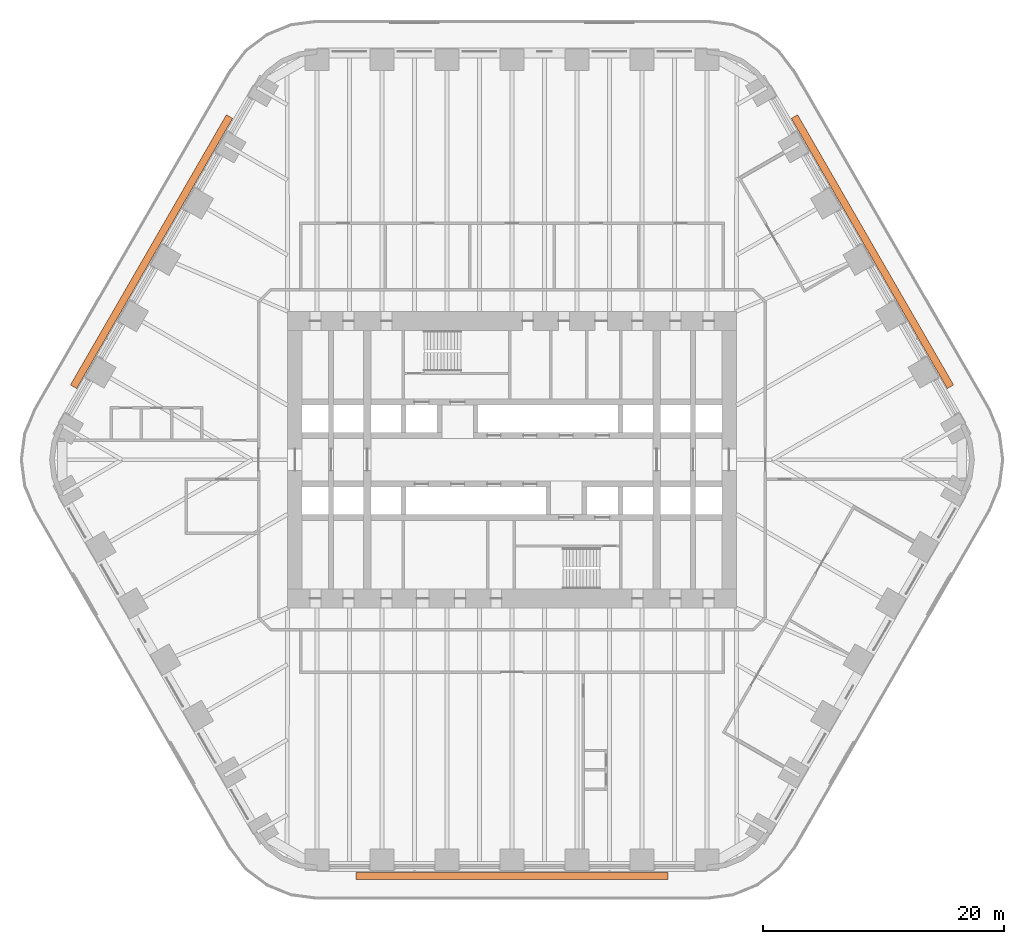
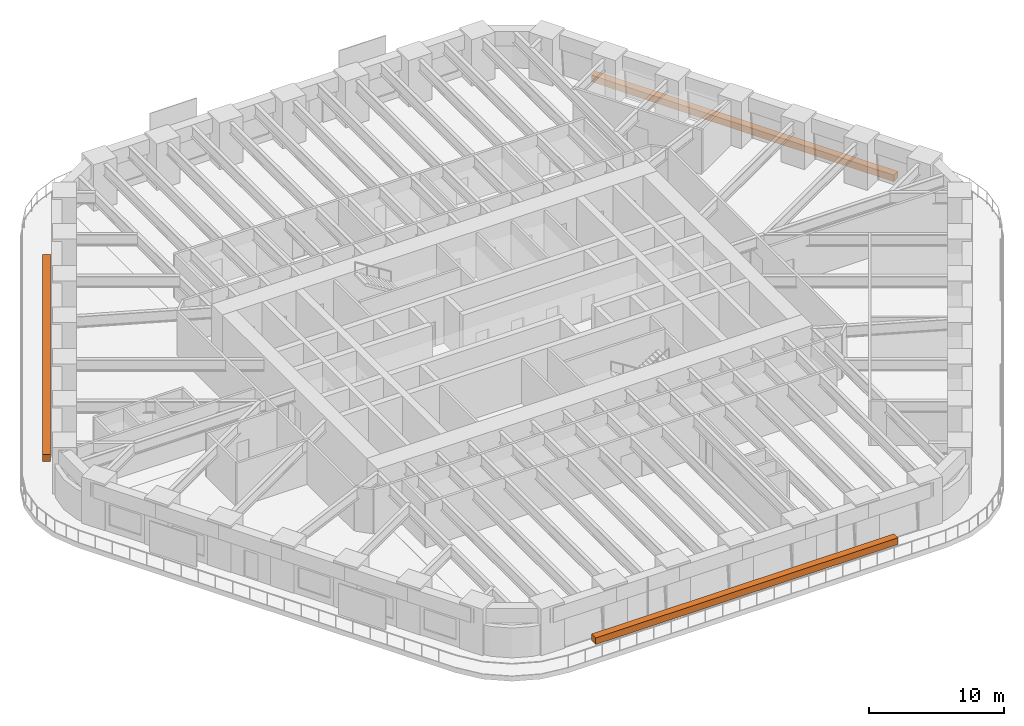
# One storey, part 23 of 23: 3 proxies.
"""IFC4 building model written with IfcOpenShell, lengths in metres."""

from ifc_helpers import new_model, si_unit, direction, frame, origin, origin_2d, place, context, subcontext, project, spatial, rectangle, extrude, material, element, save


model = new_model("IFC4")

# Units and contexts
model_context = context("Model", 3, precision=1e-05, world=origin(), true_north=direction((0.0, 1.0)))
body_context = subcontext(model_context, "Body", "Model", "MODEL_VIEW")
ifc_project = project(units=[si_unit("LENGTHUNIT", "METRE"), si_unit("AREAUNIT", "SQUARE_METRE"), si_unit("VOLUMEUNIT", "CUBIC_METRE"), si_unit("PLANEANGLEUNIT", "RADIAN"), si_unit("MASSUNIT", "GRAM", prefix="KILO")], contexts=[model_context])

# Site, building, storey
site_placement = place(None, origin())
site = spatial("IfcSite", under=ifc_project, at=site_placement, CompositionType="ELEMENT")
building_placement = place(site_placement, origin())
building = spatial("IfcBuilding", under=site, at=building_placement, Name="Tarfa Lantern Tower", CompositionType="ELEMENT")
storey_placement = place(building_placement, frame((0.0, 0.0, 61.300048828125)))
storey = spatial("IfcBuildingStorey", under=building, at=storey_placement, Name="L13", CompositionType="ELEMENT", Elevation=61.300048828125)

# Proxies
ifc_material = material(Name="Planting bed")
for number, where, z_axis, x_axis, name in (
    (1, (29.8779296875, 17.25, 0.0), (0.0, 0.0, 1.0), (-0.5, 0.866025403784, 0.0), "Balcony planter"),
    (2, (-29.8779296875, 17.25, 0.0), (0.0, 0.0, 1.0), (-0.5, -0.866025403784, 0.0), "Balcony planter"),
    (3, (0.0, -34.5, 0.0), (0.0, 0.0, 1.0), (1.0, 0.0, 0.0), "Balcony planter"),
):
    element("IfcBuildingElementProxy", number, at=place(storey_placement, frame(where, z_axis=z_axis, x_axis=x_axis)), inside=storey, material=ifc_material, Name=name, ObjectType="PLANTER", PredefinedType="USERDEFINED", context=body_context, shape_type="SweptSolid", body=[
        extrude(rectangle(XDim=25.865234375, YDim=0.60009765625, at=origin_2d()), origin(), (0.0, 0.0, 1.0), 0.60009765625),
    ])

save(model, "model.ifc")
